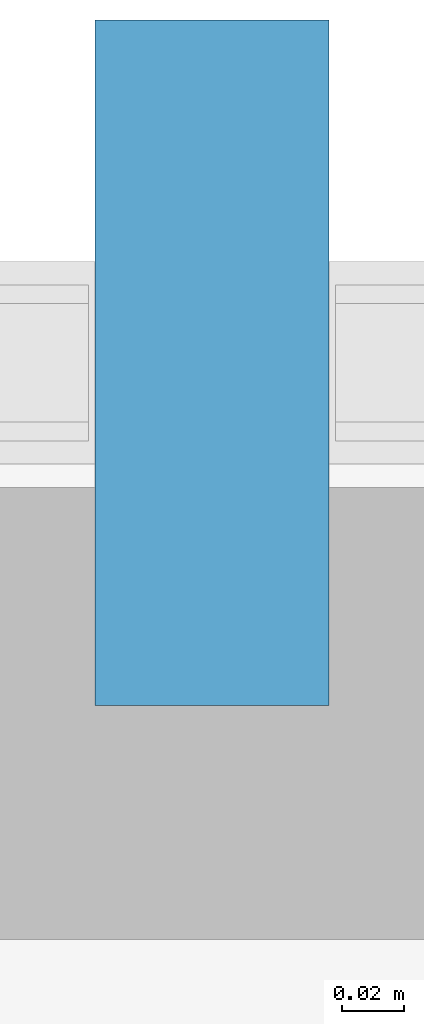
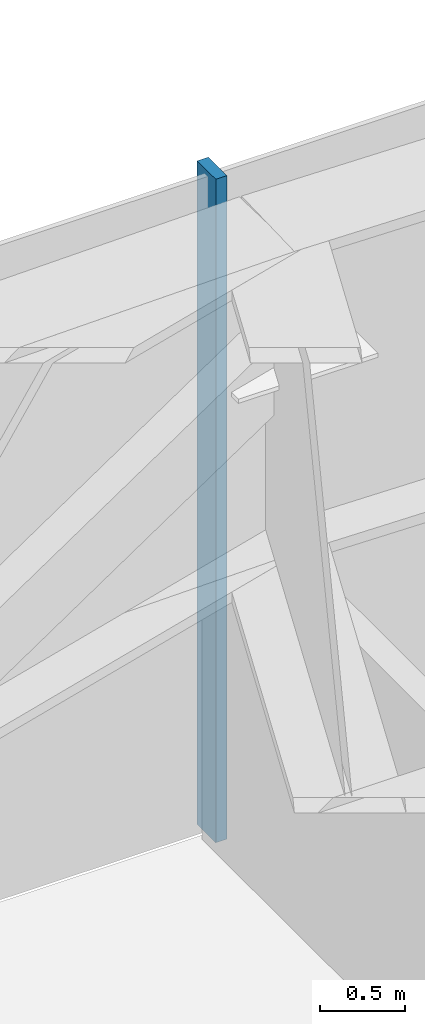
# One storey, part 14 of 29: 1 member, 1 element without a shape of its own.
"""IFC4 building model written with IfcOpenShell, lengths in metres."""

from ifc_helpers import new_model, si_unit, direction, frame, origin, origin_2d, place, context, subcontext, project, spatial, rectangle, extrude, source, transform, mapped, material, layer, layer_set, material_profile, profile_set, type_object, type_shapes, element, aggregate, save


model = new_model("IFC4")

# Units and contexts
model_context = context("Model", 3, precision=1e-05, world=origin(), true_north=direction((0.0, 1.0)))
body_context = subcontext(model_context, "Body", "Model", "MODEL_VIEW")
ifc_project = project(units=[si_unit("LENGTHUNIT", "METRE"), si_unit("AREAUNIT", "SQUARE_METRE"), si_unit("VOLUMEUNIT", "CUBIC_METRE"), si_unit("PLANEANGLEUNIT", "RADIAN"), si_unit("MASSUNIT", "GRAM", prefix="KILO")], contexts=[model_context])

# Site, building, storey
site_placement = place(None, origin())
site = spatial("IfcSite", under=ifc_project, at=site_placement, CompositionType="ELEMENT")
building_placement = place(site_placement, origin())
building = spatial("IfcBuilding", under=site, at=building_placement, Name="Varakhsha Concourse Tower", CompositionType="ELEMENT")
storey_placement = place(building_placement, frame((0.0, 0.0, 22.0)))
storey = spatial("IfcBuildingStorey", under=building, at=storey_placement, Name="L05", CompositionType="ELEMENT", Elevation=22.0)

# Curtain wall, member
ifc_material = material(Name="Anodised Bronze Architectural Aluminium AA 6063-T6", Category="aluminium")
ifc_layer = layer(ifc_material, 0.260009765625, Name="CW-SYS-06")
ifc_layer_set = layer_set([ifc_layer], Name="Anodised Bronze Architectural Aluminium AA 6063-T6")
curtain_wall_type = type_object("IfcCurtainWallType", Name="CW-SYS-06", PredefinedType="NOTDEFINED", material=ifc_layer_set)
curtain_wall_placement = place(storey_placement, origin())
curtain_wall = element("IfcCurtainWall", 1, at=curtain_wall_placement, inside=storey, type_object=curtain_wall_type, Name="L05 Podium Curtain Wall 05", PredefinedType="NOTDEFINED")
ifc_material_profile = material_profile(ifc_material, rectangle(XDim=0.074951171875, YDim=0.219970703125, at=origin_2d()), Name="CWM-220X75")
ifc_profile_set = profile_set([ifc_material_profile], Name="Anodised Bronze Architectural Aluminium AA 6063-T6")
member_type = type_object("IfcMemberType", Name="CWM-220X75", PredefinedType="MULLION", material=ifc_profile_set)
shared_shape = source(origin(), body_context, "Body", "SweptSolid", [
    extrude(rectangle(XDim=0.074951171875, YDim=0.219970703125, at=origin_2d()), origin(), (0.0, 0.0, 1.0), 4.780029296875),
])
type_shapes(member_type, [shared_shape])
member_placement = place(storey_placement, frame((40.0, 54.0, 0.0), z_axis=(0.0, 0.0, 1.0), x_axis=(-1.0, 0.0, 0.0)))
member = element("IfcMember", 2, at=member_placement, type_object=member_type, Name="CW-POD-L05-05 Mullion 04", PredefinedType="MULLION", context=body_context, shape_type="MappedRepresentation", body=[
    mapped(shared_shape, transform((0.0, 0.0, 0.0), scale=1.0)),
])
aggregate(curtain_wall, [member])

save(model, "model.ifc")
